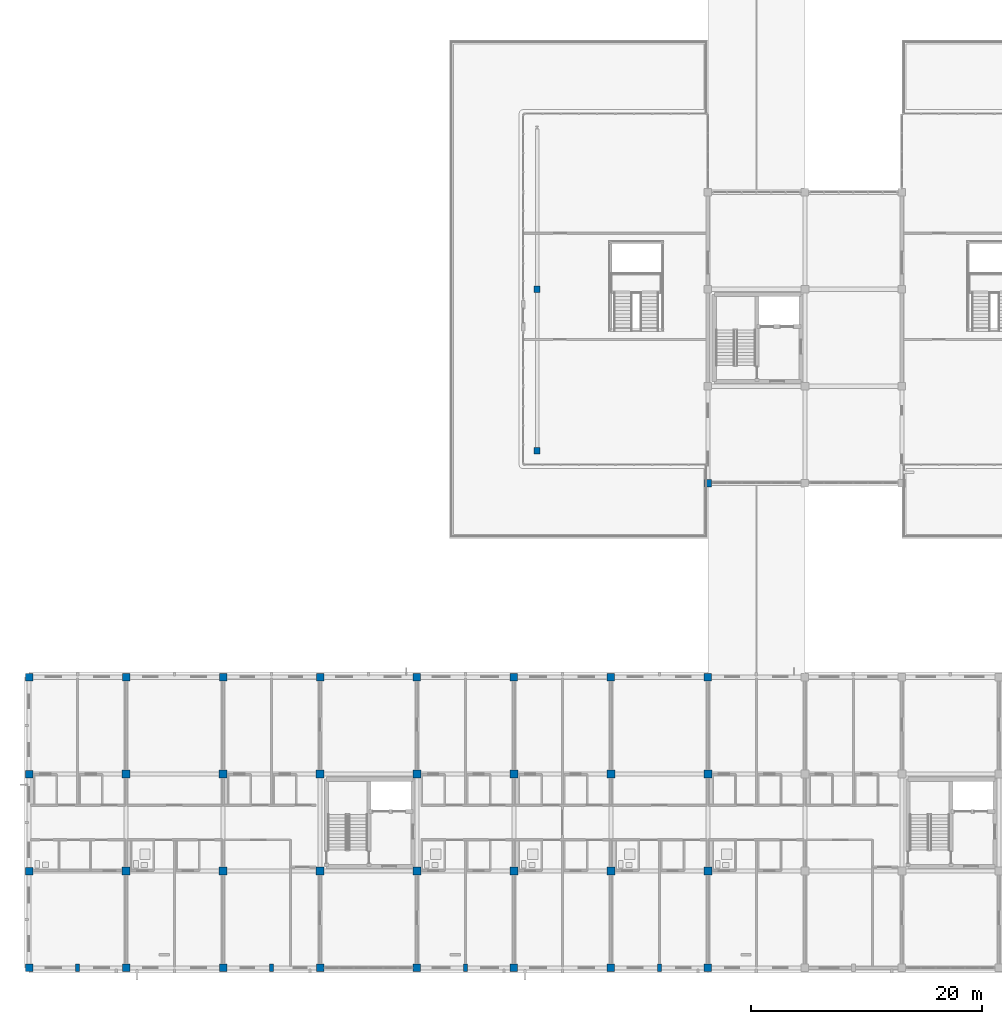
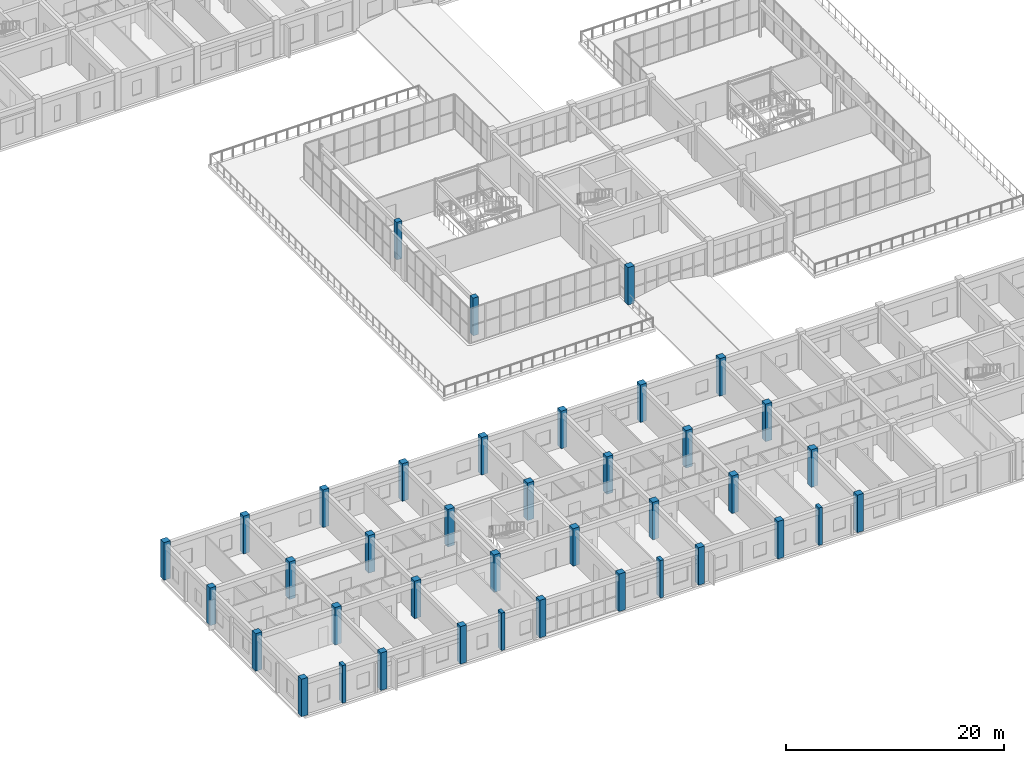
# One storey, part 1 of 90: 39 columns.
"""IFC4 building model written with IfcOpenShell, lengths in metres."""

import ifcopenshell
import ifcopenshell.guid

model = None  # the IFC model being written
_history = None  # IfcOwnerHistory: only IFC2X3 demands one
_inside = {}  # id of a spatial element -> (the spatial element, [elements in it])
_under = {}  # id of a project, library or spatial element -> (it, [spatial elements below it])
_declared = {}  # id of a project -> (the project, [libraries it declares])
_typed = {}  # id of a type object -> (the type object, [elements of that type])
_made_of = {}  # id of a material, layer set ... -> (it, [elements and type objects made of it])


def new_model(schema):
    """Start an empty IFC model of exactly this schema.

    Asked for "IFC4X3", IfcOpenShell would pick the latest addendum, in which some entities
    have other attributes; the version numbers below select the first issue.
    IFC2X3 requires an IfcOwnerHistory on every rooted entity: one is made here for all.
    """
    global model, _history
    if schema == "IFC4X3":
        model = ifcopenshell.file(schema_version=(4, 3, 0, 0))
    else:
        model = ifcopenshell.file(schema=schema)
    _inside.clear()
    _under.clear()
    _declared.clear()
    _typed.clear()
    _made_of.clear()
    _history = None
    if model.schema == "IFC2X3":
        org = make("IfcOrganization", Name="unknown")
        user = make(
            "IfcPersonAndOrganization",
            ThePerson=make("IfcPerson", FamilyName="unknown"),
            TheOrganization=org,
        )
        app = make(
            "IfcApplication",
            ApplicationDeveloper=org,
            Version="unknown",
            ApplicationFullName="unknown",
            ApplicationIdentifier="unknown",
        )
        _history = make(
            "IfcOwnerHistory",
            OwningUser=user,
            OwningApplication=app,
            ChangeAction="ADDED",
            CreationDate=0,
        )
    return model


def make(cls, **values):
    """One entity of the class cls with the attributes given. An attribute that is None is left unset."""
    return model.create_entity(
        cls, **{name: value for name, value in values.items() if value is not None}
    )


def rooted(cls, **values):
    """An entity with a GlobalId (a new one), such as an element, a storey or a relation."""
    return make(cls, GlobalId=ifcopenshell.guid.new(), OwnerHistory=_history, **values)


def si_unit(unit_type, name, prefix=None):
    """IfcSIUnit, for example si_unit("LENGTHUNIT", "METRE", prefix="MILLI")."""
    return make("IfcSIUnit", UnitType=unit_type, Prefix=prefix, Name=name)


def assignment(units):
    """IfcUnitAssignment: the units of a project."""
    return None if units is None else make("IfcUnitAssignment", Units=units)


def point(xyz):
    """IfcCartesianPoint."""
    return None if xyz is None else make("IfcCartesianPoint", Coordinates=xyz)


def direction(xyz):
    """IfcDirection."""
    return None if xyz is None else make("IfcDirection", DirectionRatios=xyz)


def frame(location, z_axis=None, x_axis=None):
    """IfcAxis2Placement3D, a coordinate frame: its origin and axes. An axis left out is left unset."""
    return make(
        "IfcAxis2Placement3D",
        Location=point(location),
        Axis=direction(z_axis),
        RefDirection=direction(x_axis),
    )


def frame_2d(location, x_axis=None):
    """IfcAxis2Placement2D, a coordinate frame in the plane: its origin and x axis."""
    return make(
        "IfcAxis2Placement2D", Location=point(location), RefDirection=direction(x_axis)
    )


def origin():
    """The frame at (0, 0, 0) with its axes left unset."""
    return frame((0.0, 0.0, 0.0))


def origin_2d():
    """The frame at (0, 0) in the plane with its x axis left unset."""
    return frame_2d((0.0, 0.0))


def place(relative_to, where):
    """IfcLocalPlacement: puts the frame where relative to a parent placement (None: the world)."""
    return make(
        "IfcLocalPlacement", PlacementRelTo=relative_to, RelativePlacement=where
    )


def context(
    kind, dimensions, precision=None, world=None, true_north=None, identifier=None
):
    """IfcGeometricRepresentationContext, for example the 3D "Model" context."""
    return make(
        "IfcGeometricRepresentationContext",
        ContextIdentifier=identifier,
        ContextType=kind,
        CoordinateSpaceDimension=dimensions,
        Precision=precision,
        WorldCoordinateSystem=world,
        TrueNorth=true_north,
    )


def subcontext(parent, identifier, kind, view, scale=None):
    """IfcGeometricRepresentationSubContext, for example "Body" below "Model"."""
    return make(
        "IfcGeometricRepresentationSubContext",
        ContextIdentifier=identifier,
        ContextType=kind,
        ParentContext=parent,
        TargetScale=scale,
        TargetView=view,
    )


def project(units=None, contexts=None):
    """IfcProject with its units and contexts."""
    return rooted(
        "IfcProject",
        Name="project",
        RepresentationContexts=contexts,
        UnitsInContext=assignment(units),
    )


def spatial(cls, under=None, at=None, **own):
    """A site, building, storey or space (cls), placed at a placement, below another one or the project."""
    s = rooted(cls, ObjectPlacement=at, **own)
    if under is not None:
        _under.setdefault(under.id(), (under, []))[1].append(s)
    return s


def profile(cls, at=None, kind="AREA", **sizes):
    """A parametric profile (cls). Its sizes go by their IFC names, for example OverallWidth=200.0."""
    return make(cls, ProfileType=kind, Position=at, **sizes)


def rectangle(**sizes):
    """IfcRectangleProfileDef."""
    return profile("IfcRectangleProfileDef", **sizes)


def extrude(swept, where, along, depth):
    """IfcExtrudedAreaSolid: the profile swept, set in the frame where, extruded along a direction by depth."""
    return make(
        "IfcExtrudedAreaSolid",
        SweptArea=swept,
        Position=where,
        ExtrudedDirection=direction(along),
        Depth=depth,
    )


def shape(context_of_items, identifier, shape_type, items):
    """IfcShapeRepresentation: the items that make up one representation, for example the "Body"."""
    return make(
        "IfcShapeRepresentation",
        ContextOfItems=context_of_items,
        RepresentationIdentifier=identifier,
        RepresentationType=shape_type,
        Items=items,
    )


def material(Name=None, Category=None):
    """IfcMaterial."""
    return make("IfcMaterial", Name=Name, Category=Category)


def material_profile(
    of_material, cross_section, Name=None, Category=None, Priority=None
):
    """IfcMaterialProfile: a cross section and its material."""
    return make(
        "IfcMaterialProfile",
        Name=Name,
        Material=of_material,
        Profile=cross_section,
        Priority=Priority,
        Category=Category,
    )


def profile_set(profiles, Name=None, composite=None):
    """IfcMaterialProfileSet."""
    return make(
        "IfcMaterialProfileSet",
        Name=Name,
        MaterialProfiles=profiles,
        CompositeProfile=composite,
    )


def made_of(thing, what):
    """Note that an element or type object is made of a material, layer set ...; save() writes the relation."""
    if what is not None:
        _made_of.setdefault(what.id(), (what, []))[1].append(thing)
    return thing


def type_object(cls, material=None, **own):
    """A type object (cls), such as IfcWallType, which elements share."""
    return made_of(rooted(cls, **own), material)


def element(
    cls,
    number,
    at=None,
    inside=None,
    cuts=None,
    type_object=None,
    material=None,
    context=None,
    identifier="Body",
    shape_type=None,
    held_by="IfcProductDefinitionShape",
    body=None,
    shapes=None,
    **own,
):
    """One element of the class cls, such as IfcWall. Its Tag is "e" and its number.

    at: its placement. inside: the storey or other place that contains it. cuts: it is an
    opening in that element (IfcRelVoidsElement). A single representation is given by context,
    identifier, shape_type and body (its items); several are given by shapes. held_by: the class
    of the entity that holds the representations. save() writes the other relations.
    """
    e = rooted(cls, Tag="e%d" % number, ObjectPlacement=at, **own)
    if body is not None:
        shapes = [shape(context, identifier, shape_type, body)]
    if shapes is not None:
        e.Representation = make(held_by, Representations=shapes)
    if inside is not None:
        _inside.setdefault(inside.id(), (inside, []))[1].append(e)
    if cuts is not None:
        rooted(
            "IfcRelVoidsElement", RelatingBuildingElement=cuts, RelatedOpeningElement=e
        )
    if type_object is not None:
        _typed.setdefault(type_object.id(), (type_object, []))[1].append(e)
    return made_of(e, material)


def aggregate(whole, parts):
    """IfcRelAggregates: a whole, such as a stair, and the parts it consists of."""
    return rooted("IfcRelAggregates", RelatingObject=whole, RelatedObjects=parts)


def save(model, path):
    """Write the relations noted so far, then the file.

    IfcRelAggregates (storeys below a building ...), IfcRelContainedInSpatialStructure (elements
    in a storey), IfcRelDefinesByType, IfcRelAssociatesMaterial and IfcRelDeclares: one each for
    every whole, place, type object, material and project.
    """
    for whole, parts in _under.values():
        aggregate(whole, parts)
    for where, things in _inside.values():
        rooted(
            "IfcRelContainedInSpatialStructure",
            RelatedElements=things,
            RelatingStructure=where,
        )
    for kind, things in _typed.values():
        rooted("IfcRelDefinesByType", RelatedObjects=things, RelatingType=kind)
    for what, things in _made_of.values():
        rooted("IfcRelAssociatesMaterial", RelatedObjects=things, RelatingMaterial=what)
    for by, libraries in _declared.values():
        rooted("IfcRelDeclares", RelatingContext=by, RelatedDefinitions=libraries)
    model.write(path)


model = new_model("IFC4")

# Units and contexts
model_context = context("Model", 3, precision=1e-05, world=origin(), true_north=direction((0.0, 1.0)))
body_context = subcontext(model_context, "Body", "Model", "MODEL_VIEW")
ifc_project = project(units=[si_unit("LENGTHUNIT", "METRE"), si_unit("AREAUNIT", "SQUARE_METRE"), si_unit("VOLUMEUNIT", "CUBIC_METRE"), si_unit("PLANEANGLEUNIT", "RADIAN"), si_unit("MASSUNIT", "GRAM", prefix="KILO")], contexts=[model_context])

# Site, building, storey
site_placement = place(None, origin())
site = spatial("IfcSite", under=ifc_project, at=site_placement, CompositionType="ELEMENT")
building_placement = place(site_placement, origin())
building = spatial("IfcBuilding", under=site, at=building_placement, Name="Trelvath General Hospital", CompositionType="ELEMENT")
storey_placement = place(building_placement, frame((0.0, 0.0, 20.39990234375)))
storey = spatial("IfcBuildingStorey", under=building, at=storey_placement, Name="L05", CompositionType="ELEMENT", Elevation=20.39990234375)

# Columns
ifc_material_1 = material(Name="Concrete C40/50", Category="concrete")
ifc_material_profile_1 = material_profile(ifc_material_1, rectangle(XDim=0.550048828125, YDim=0.550048828125, at=origin_2d()), Name="RC550x550")
ifc_profile_set_1 = profile_set([ifc_material_profile_1], Name="Concrete C40/50")
column_type_1 = type_object("IfcColumnType", Name="Column RC550", PredefinedType="COLUMN", material=ifc_profile_set_1)
for number, where, z_axis, x_axis, name in (
    (1, (60.800048828125, 44.800048828125, 0.0), (0.0, 0.0, 1.0), (1.0, 0.0, 0.0), "Cube Interior Column CC-W04 L05"),
    (2, (60.800048828125, 58.800048828125, 0.0), (0.0, 0.0, 1.0), (1.0, 0.0, 0.0), "Cube Interior Column CC-W05 L05"),
):
    element("IfcColumn", number, at=place(storey_placement, frame(where, z_axis=z_axis, x_axis=x_axis)), inside=storey, type_object=column_type_1, Name=name, PredefinedType="COLUMN", context=body_context, shape_type="SweptSolid", body=[
        extrude(rectangle(XDim=0.550048828125, YDim=0.550048828125, at=origin_2d()), origin(), (0.0, 0.0, 1.0), 4.2001953125),
    ])
ifc_material_2 = material(Name="Concrete C40/50", Category="concrete")
ifc_material_profile_2 = material_profile(ifc_material_2, rectangle(XDim=0.64990234375, YDim=0.64990234375, at=origin_2d()), Name="RC650x650")
ifc_profile_set_2 = profile_set([ifc_material_profile_2], Name="Concrete C40/50")
column_type_2 = type_object("IfcColumnType", Name="Column RC650", PredefinedType="COLUMN", material=ifc_profile_set_2)
for number, where, z_axis, x_axis, name in (
    (3, (16.800048828125, 0.0, 0.0), (0.0, 0.0, 1.0), (1.0, 0.0, 0.0), "Column C-3A L05"),
    (4, (16.800048828125, 8.39990234375, 0.0), (0.0, 0.0, 1.0), (1.0, 0.0, 0.0), "Column C-3B L05"),
    (5, (16.800048828125, 16.800048828125, 0.0), (0.0, 0.0, 1.0), (1.0, 0.0, 0.0), "Column C-3C L05"),
    (6, (16.800048828125, 25.199951171875, 0.0), (0.0, 0.0, 1.0), (1.0, 0.0, 0.0), "Column C-3D L05"),
    (7, (25.199951171875, 0.0, 0.0), (0.0, 0.0, 1.0), (1.0, 0.0, 0.0), "Column C-4A L05"),
    (8, (25.199951171875, 25.199951171875, 0.0), (0.0, 0.0, 1.0), (1.0, 0.0, 0.0), "Column C-4D L05"),
    (9, (33.60009765625, 0.0, 0.0), (0.0, 0.0, 1.0), (1.0, 0.0, 0.0), "Column C-5A L05"),
    (10, (33.60009765625, 25.199951171875, 0.0), (0.0, 0.0, 1.0), (1.0, 0.0, 0.0), "Column C-5D L05"),
    (11, (42.0, 0.0, 0.0), (0.0, 0.0, 1.0), (1.0, 0.0, 0.0), "Column C-6A L05"),
    (12, (42.0, 25.199951171875, 0.0), (0.0, 0.0, 1.0), (1.0, 0.0, 0.0), "Column C-6D L05"),
    (13, (50.39990234375, 0.0, 0.0), (0.0, 0.0, 1.0), (1.0, 0.0, 0.0), "Column C-7A L05"),
    (14, (50.39990234375, 25.199951171875, 0.0), (0.0, 0.0, 1.0), (1.0, 0.0, 0.0), "Column C-7D L05"),
    (15, (58.800048828125, 0.0, 0.0), (0.0, 0.0, 1.0), (1.0, 0.0, 0.0), "Column C-8A L05"),
    (16, (58.800048828125, 25.199951171875, 0.0), (0.0, 0.0, 1.0), (1.0, 0.0, 0.0), "Column C-8D L05"),
    (17, (67.199951171875, 0.0, 0.0), (0.0, 0.0, 1.0), (1.0, 0.0, 0.0), "Column C-9A L05"),
    (18, (67.199951171875, 25.199951171875, 0.0), (0.0, 0.0, 1.0), (1.0, 0.0, 0.0), "Column C-9D L05"),
    (19, (75.60009765625, 0.0, 0.0), (0.0, 0.0, 1.0), (1.0, 0.0, 0.0), "Column C-10A L05"),
    (20, (75.60009765625, 25.199951171875, 0.0), (0.0, 0.0, 1.0), (1.0, 0.0, 0.0), "Column C-10D L05"),
    (21, (75.60009765625, 42.0, 0.0), (0.0, 0.0, 1.0), (1.0, 0.0, 0.0), "Column C-10F L05"),
):
    element("IfcColumn", number, at=place(storey_placement, frame(where, z_axis=z_axis, x_axis=x_axis)), inside=storey, type_object=column_type_2, Name=name, PredefinedType="COLUMN", context=body_context, shape_type="SweptSolid", body=[
        extrude(rectangle(XDim=0.64990234375, YDim=0.64990234375, at=origin_2d()), origin(), (0.0, 0.0, 1.0), 4.2001953125),
    ])
ifc_material_3 = material(Name="Concrete C40/50", Category="concrete")
ifc_material_profile_3 = material_profile(ifc_material_3, rectangle(XDim=0.679931640625, YDim=0.679931640625, at=origin_2d()), Name="RC680x680")
ifc_profile_set_3 = profile_set([ifc_material_profile_3], Name="Concrete C40/50")
column_type_3 = type_object("IfcColumnType", Name="Column RC680", PredefinedType="COLUMN", material=ifc_profile_set_3)
for number, where, z_axis, x_axis, name in (
    (22, (25.199951171875, 8.39990234375, 0.0), (0.0, 0.0, 1.0), (1.0, 0.0, 0.0), "Column C-4B L05"),
    (23, (25.199951171875, 16.800048828125, 0.0), (0.0, 0.0, 1.0), (1.0, 0.0, 0.0), "Column C-4C L05"),
    (24, (33.60009765625, 8.39990234375, 0.0), (0.0, 0.0, 1.0), (1.0, 0.0, 0.0), "Column C-5B L05"),
    (25, (33.60009765625, 16.800048828125, 0.0), (0.0, 0.0, 1.0), (1.0, 0.0, 0.0), "Column C-5C L05"),
    (26, (42.0, 8.39990234375, 0.0), (0.0, 0.0, 1.0), (1.0, 0.0, 0.0), "Column C-6B L05"),
    (27, (42.0, 16.800048828125, 0.0), (0.0, 0.0, 1.0), (1.0, 0.0, 0.0), "Column C-6C L05"),
    (28, (50.39990234375, 8.39990234375, 0.0), (0.0, 0.0, 1.0), (1.0, 0.0, 0.0), "Column C-7B L05"),
    (29, (50.39990234375, 16.800048828125, 0.0), (0.0, 0.0, 1.0), (1.0, 0.0, 0.0), "Column C-7C L05"),
    (30, (58.800048828125, 8.39990234375, 0.0), (0.0, 0.0, 1.0), (1.0, 0.0, 0.0), "Column C-8B L05"),
    (31, (58.800048828125, 16.800048828125, 0.0), (0.0, 0.0, 1.0), (1.0, 0.0, 0.0), "Column C-8C L05"),
    (32, (67.199951171875, 8.39990234375, 0.0), (0.0, 0.0, 1.0), (1.0, 0.0, 0.0), "Column C-9B L05"),
    (33, (67.199951171875, 16.800048828125, 0.0), (0.0, 0.0, 1.0), (1.0, 0.0, 0.0), "Column C-9C L05"),
    (34, (75.60009765625, 8.39990234375, 0.0), (0.0, 0.0, 1.0), (1.0, 0.0, 0.0), "Column C-10B L05"),
    (35, (75.60009765625, 16.800048828125, 0.0), (0.0, 0.0, 1.0), (1.0, 0.0, 0.0), "Column C-10C L05"),
):
    element("IfcColumn", number, at=place(storey_placement, frame(where, z_axis=z_axis, x_axis=x_axis)), inside=storey, type_object=column_type_3, Name=name, PredefinedType="COLUMN", context=body_context, shape_type="SweptSolid", body=[
        extrude(rectangle(XDim=0.679931640625, YDim=0.679931640625, at=origin_2d()), origin(), (0.0, 0.0, 1.0), 4.2001953125),
    ])
ifc_material_4 = material(Name="Concrete C40/50", Category="concrete")
ifc_material_profile_4 = material_profile(ifc_material_4, rectangle(XDim=0.35009765625, YDim=0.64990234375, at=origin_2d()), Name="RC350x650")
ifc_profile_set_4 = profile_set([ifc_material_profile_4], Name="Concrete C40/50")
column_type_4 = type_object("IfcColumnType", Name="Pilaster RC350x650", PredefinedType="PILASTER", material=ifc_profile_set_4)
for number, where, z_axis, x_axis, name in (
    (36, (21.0, 0.0, 0.0), (0.0, 0.0, 1.0), (1.0, 0.0, 0.0), "Facade Pilaster PL-S02 L05"),
    (37, (37.800048828125, 0.0, 0.0), (0.0, 0.0, 1.0), (1.0, 0.0, 0.0), "Facade Pilaster PL-S04 L05"),
    (38, (54.60009765625, 0.0, 0.0), (0.0, 0.0, 1.0), (1.0, 0.0, 0.0), "Facade Pilaster PL-S06 L05"),
    (39, (71.39990234375, 0.0, 0.0), (0.0, 0.0, 1.0), (1.0, 0.0, 0.0), "Facade Pilaster PL-S08 L05"),
):
    element("IfcColumn", number, at=place(storey_placement, frame(where, z_axis=z_axis, x_axis=x_axis)), inside=storey, type_object=column_type_4, Name=name, PredefinedType="PILASTER", context=body_context, shape_type="SweptSolid", body=[
        extrude(rectangle(XDim=0.35009765625, YDim=0.64990234375, at=origin_2d()), origin(), (0.0, 0.0, 1.0), 4.2001953125),
    ])

save(model, "model.ifc")
